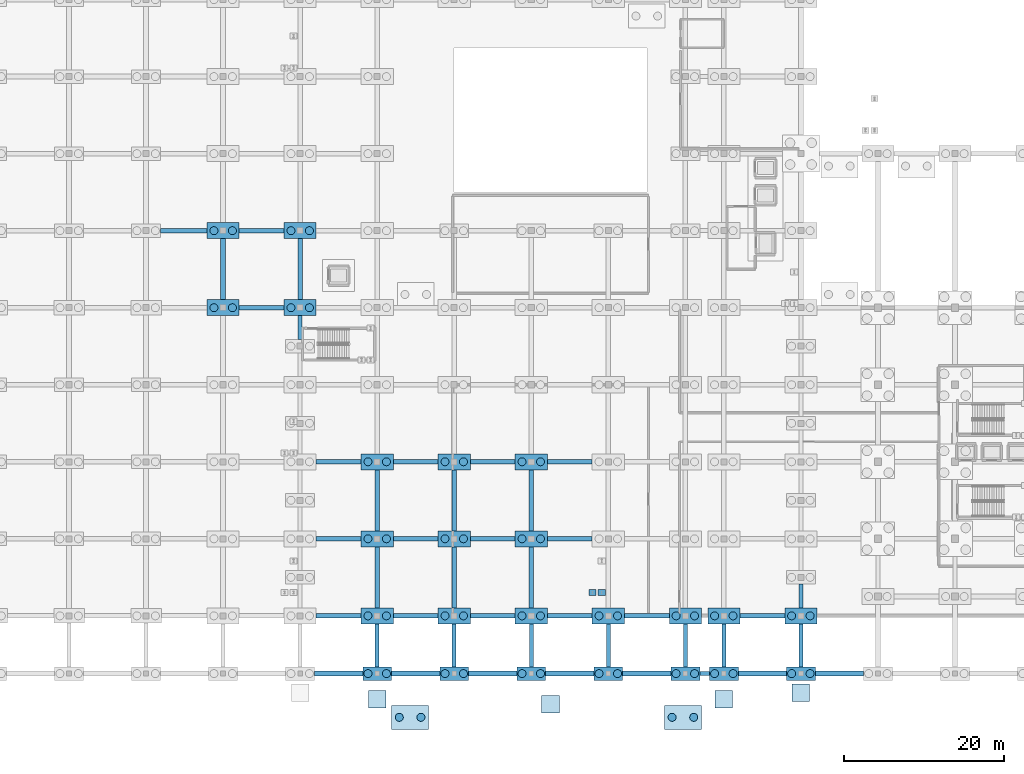
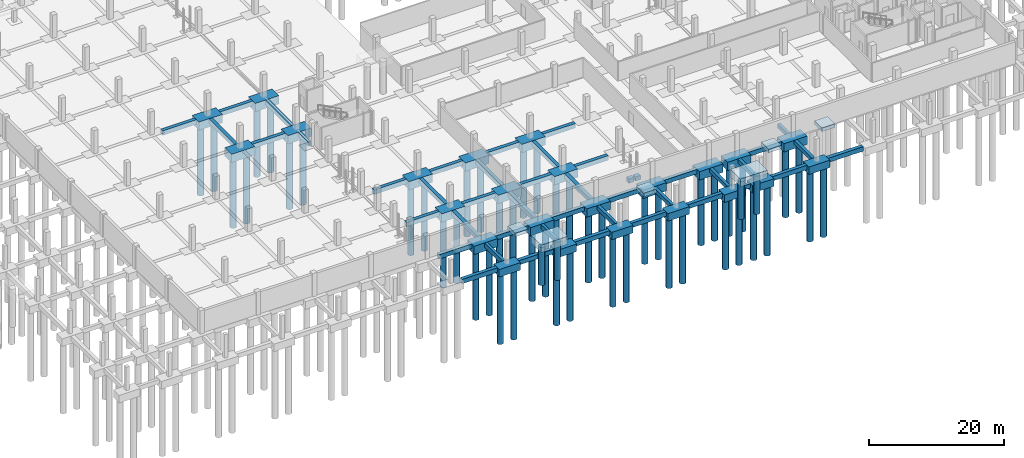
# One storey, part 3 of 54: 74 footings, 52 piles.
"""IFC4 building model written with IfcOpenShell, lengths in metres."""

import ifcopenshell
import ifcopenshell.guid

model = None  # the IFC model being written
_history = None  # IfcOwnerHistory: only IFC2X3 demands one
_inside = {}  # id of a spatial element -> (the spatial element, [elements in it])
_under = {}  # id of a project, library or spatial element -> (it, [spatial elements below it])
_declared = {}  # id of a project -> (the project, [libraries it declares])
_typed = {}  # id of a type object -> (the type object, [elements of that type])
_made_of = {}  # id of a material, layer set ... -> (it, [elements and type objects made of it])


def new_model(schema):
    """Start an empty IFC model of exactly this schema.

    Asked for "IFC4X3", IfcOpenShell would pick the latest addendum, in which some entities
    have other attributes; the version numbers below select the first issue.
    IFC2X3 requires an IfcOwnerHistory on every rooted entity: one is made here for all.
    """
    global model, _history
    if schema == "IFC4X3":
        model = ifcopenshell.file(schema_version=(4, 3, 0, 0))
    else:
        model = ifcopenshell.file(schema=schema)
    _inside.clear()
    _under.clear()
    _declared.clear()
    _typed.clear()
    _made_of.clear()
    _history = None
    if model.schema == "IFC2X3":
        org = make("IfcOrganization", Name="unknown")
        user = make(
            "IfcPersonAndOrganization",
            ThePerson=make("IfcPerson", FamilyName="unknown"),
            TheOrganization=org,
        )
        app = make(
            "IfcApplication",
            ApplicationDeveloper=org,
            Version="unknown",
            ApplicationFullName="unknown",
            ApplicationIdentifier="unknown",
        )
        _history = make(
            "IfcOwnerHistory",
            OwningUser=user,
            OwningApplication=app,
            ChangeAction="ADDED",
            CreationDate=0,
        )
    return model


def make(cls, **values):
    """One entity of the class cls with the attributes given. An attribute that is None is left unset."""
    return model.create_entity(
        cls, **{name: value for name, value in values.items() if value is not None}
    )


def rooted(cls, **values):
    """An entity with a GlobalId (a new one), such as an element, a storey or a relation."""
    return make(cls, GlobalId=ifcopenshell.guid.new(), OwnerHistory=_history, **values)


def si_unit(unit_type, name, prefix=None):
    """IfcSIUnit, for example si_unit("LENGTHUNIT", "METRE", prefix="MILLI")."""
    return make("IfcSIUnit", UnitType=unit_type, Prefix=prefix, Name=name)


def assignment(units):
    """IfcUnitAssignment: the units of a project."""
    return None if units is None else make("IfcUnitAssignment", Units=units)


def point(xyz):
    """IfcCartesianPoint."""
    return None if xyz is None else make("IfcCartesianPoint", Coordinates=xyz)


def direction(xyz):
    """IfcDirection."""
    return None if xyz is None else make("IfcDirection", DirectionRatios=xyz)


def frame(location, z_axis=None, x_axis=None):
    """IfcAxis2Placement3D, a coordinate frame: its origin and axes. An axis left out is left unset."""
    return make(
        "IfcAxis2Placement3D",
        Location=point(location),
        Axis=direction(z_axis),
        RefDirection=direction(x_axis),
    )


def frame_2d(location, x_axis=None):
    """IfcAxis2Placement2D, a coordinate frame in the plane: its origin and x axis."""
    return make(
        "IfcAxis2Placement2D", Location=point(location), RefDirection=direction(x_axis)
    )


def origin():
    """The frame at (0, 0, 0) with its axes left unset."""
    return frame((0.0, 0.0, 0.0))


def origin_2d():
    """The frame at (0, 0) in the plane with its x axis left unset."""
    return frame_2d((0.0, 0.0))


def place(relative_to, where):
    """IfcLocalPlacement: puts the frame where relative to a parent placement (None: the world)."""
    return make(
        "IfcLocalPlacement", PlacementRelTo=relative_to, RelativePlacement=where
    )


def context(
    kind, dimensions, precision=None, world=None, true_north=None, identifier=None
):
    """IfcGeometricRepresentationContext, for example the 3D "Model" context."""
    return make(
        "IfcGeometricRepresentationContext",
        ContextIdentifier=identifier,
        ContextType=kind,
        CoordinateSpaceDimension=dimensions,
        Precision=precision,
        WorldCoordinateSystem=world,
        TrueNorth=true_north,
    )


def subcontext(parent, identifier, kind, view, scale=None):
    """IfcGeometricRepresentationSubContext, for example "Body" below "Model"."""
    return make(
        "IfcGeometricRepresentationSubContext",
        ContextIdentifier=identifier,
        ContextType=kind,
        ParentContext=parent,
        TargetScale=scale,
        TargetView=view,
    )


def project(units=None, contexts=None):
    """IfcProject with its units and contexts."""
    return rooted(
        "IfcProject",
        Name="project",
        RepresentationContexts=contexts,
        UnitsInContext=assignment(units),
    )


def spatial(cls, under=None, at=None, **own):
    """A site, building, storey or space (cls), placed at a placement, below another one or the project."""
    s = rooted(cls, ObjectPlacement=at, **own)
    if under is not None:
        _under.setdefault(under.id(), (under, []))[1].append(s)
    return s


def profile(cls, at=None, kind="AREA", **sizes):
    """A parametric profile (cls). Its sizes go by their IFC names, for example OverallWidth=200.0."""
    return make(cls, ProfileType=kind, Position=at, **sizes)


def rectangle(**sizes):
    """IfcRectangleProfileDef."""
    return profile("IfcRectangleProfileDef", **sizes)


def circle(**sizes):
    """IfcCircleProfileDef."""
    return profile("IfcCircleProfileDef", **sizes)


def extrude(swept, where, along, depth):
    """IfcExtrudedAreaSolid: the profile swept, set in the frame where, extruded along a direction by depth."""
    return make(
        "IfcExtrudedAreaSolid",
        SweptArea=swept,
        Position=where,
        ExtrudedDirection=direction(along),
        Depth=depth,
    )


def shape(context_of_items, identifier, shape_type, items):
    """IfcShapeRepresentation: the items that make up one representation, for example the "Body"."""
    return make(
        "IfcShapeRepresentation",
        ContextOfItems=context_of_items,
        RepresentationIdentifier=identifier,
        RepresentationType=shape_type,
        Items=items,
    )


def material(Name=None, Category=None):
    """IfcMaterial."""
    return make("IfcMaterial", Name=Name, Category=Category)


def material_profile(
    of_material, cross_section, Name=None, Category=None, Priority=None
):
    """IfcMaterialProfile: a cross section and its material."""
    return make(
        "IfcMaterialProfile",
        Name=Name,
        Material=of_material,
        Profile=cross_section,
        Priority=Priority,
        Category=Category,
    )


def profile_set(profiles, Name=None, composite=None):
    """IfcMaterialProfileSet."""
    return make(
        "IfcMaterialProfileSet",
        Name=Name,
        MaterialProfiles=profiles,
        CompositeProfile=composite,
    )


def made_of(thing, what):
    """Note that an element or type object is made of a material, layer set ...; save() writes the relation."""
    if what is not None:
        _made_of.setdefault(what.id(), (what, []))[1].append(thing)
    return thing


def type_object(cls, material=None, **own):
    """A type object (cls), such as IfcWallType, which elements share."""
    return made_of(rooted(cls, **own), material)


def element(
    cls,
    number,
    at=None,
    inside=None,
    cuts=None,
    type_object=None,
    material=None,
    context=None,
    identifier="Body",
    shape_type=None,
    held_by="IfcProductDefinitionShape",
    body=None,
    shapes=None,
    **own,
):
    """One element of the class cls, such as IfcWall. Its Tag is "e" and its number.

    at: its placement. inside: the storey or other place that contains it. cuts: it is an
    opening in that element (IfcRelVoidsElement). A single representation is given by context,
    identifier, shape_type and body (its items); several are given by shapes. held_by: the class
    of the entity that holds the representations. save() writes the other relations.
    """
    e = rooted(cls, Tag="e%d" % number, ObjectPlacement=at, **own)
    if body is not None:
        shapes = [shape(context, identifier, shape_type, body)]
    if shapes is not None:
        e.Representation = make(held_by, Representations=shapes)
    if inside is not None:
        _inside.setdefault(inside.id(), (inside, []))[1].append(e)
    if cuts is not None:
        rooted(
            "IfcRelVoidsElement", RelatingBuildingElement=cuts, RelatedOpeningElement=e
        )
    if type_object is not None:
        _typed.setdefault(type_object.id(), (type_object, []))[1].append(e)
    return made_of(e, material)


def aggregate(whole, parts):
    """IfcRelAggregates: a whole, such as a stair, and the parts it consists of."""
    return rooted("IfcRelAggregates", RelatingObject=whole, RelatedObjects=parts)


def save(model, path):
    """Write the relations noted so far, then the file.

    IfcRelAggregates (storeys below a building ...), IfcRelContainedInSpatialStructure (elements
    in a storey), IfcRelDefinesByType, IfcRelAssociatesMaterial and IfcRelDeclares: one each for
    every whole, place, type object, material and project.
    """
    for whole, parts in _under.values():
        aggregate(whole, parts)
    for where, things in _inside.values():
        rooted(
            "IfcRelContainedInSpatialStructure",
            RelatedElements=things,
            RelatingStructure=where,
        )
    for kind, things in _typed.values():
        rooted("IfcRelDefinesByType", RelatedObjects=things, RelatingType=kind)
    for what, things in _made_of.values():
        rooted("IfcRelAssociatesMaterial", RelatedObjects=things, RelatingMaterial=what)
    for by, libraries in _declared.values():
        rooted("IfcRelDeclares", RelatingContext=by, RelatedDefinitions=libraries)
    model.write(path)


model = new_model("IFC4")

# Units and contexts
model_context = context("Model", 3, precision=1e-05, world=origin(), true_north=direction((0.0, 1.0)))
body_context = subcontext(model_context, "Body", "Model", "MODEL_VIEW")
ifc_project = project(units=[si_unit("LENGTHUNIT", "METRE"), si_unit("AREAUNIT", "SQUARE_METRE"), si_unit("VOLUMEUNIT", "CUBIC_METRE"), si_unit("PLANEANGLEUNIT", "RADIAN"), si_unit("MASSUNIT", "GRAM", prefix="KILO")], contexts=[model_context])

# Site, building, storey
site_placement = place(None, origin())
site = spatial("IfcSite", under=ifc_project, at=site_placement, CompositionType="ELEMENT")
building_placement = place(site_placement, origin())
building = spatial("IfcBuilding", under=site, at=building_placement, Name="Zevrakil Square Congress Hotel", CompositionType="ELEMENT")
storey_placement = place(building_placement, frame((0.0, 0.0, -8.39990234375)))
storey = spatial("IfcBuildingStorey", under=building, at=storey_placement, Name="B2", CompositionType="ELEMENT", Elevation=-8.39990234375)

# Footings
ifc_material_1 = material(Name="Concrete C35/45", Category="concrete")
footing_type_1 = type_object("IfcFootingType", Name="FTG-PAD-2200", PredefinedType="PAD_FOOTING", material=ifc_material_1)
for number, where, z_axis, x_axis, name in (
    (1, (64.800048828125, -3.199951171875, 7.75), (0.0, 0.0, 1.0), (1.0, 0.0, 0.0), "South entrance canopy pad footing CPC-02"),
    (2, (86.39990234375, -3.800048828125, 7.75), (0.0, 0.0, 1.0), (1.0, 0.0, 0.0), "South entrance canopy pad footing CPC-03"),
    (3, (108.0, -3.199951171875, 7.75), (0.0, 0.0, 1.0), (1.0, 0.0, 0.0), "South entrance canopy pad footing CPC-04"),
    (4, (117.60009765625, -2.39990234375, 7.75), (0.0, 0.0, 1.0), (1.0, 0.0, 0.0), "South entrance canopy pad footing CPC-05"),
):
    element("IfcFooting", number, at=place(storey_placement, frame(where, z_axis=z_axis, x_axis=x_axis)), inside=storey, type_object=footing_type_1, Name=name, PredefinedType="PAD_FOOTING", context=body_context, shape_type="SweptSolid", body=[
        extrude(rectangle(XDim=2.199951171875, YDim=2.199951171875, at=origin_2d()), origin(), (0.0, 0.0, 1.0), 0.64990234375),
    ])
ifc_material_2 = material(Name="Concrete C35/45", Category="concrete")
footing_type_2 = type_object("IfcFootingType", Name="FTG-PC2-360", PredefinedType="PILE_CAP", material=ifc_material_2)
for number, where, z_axis, x_axis, name in (
    (5, (64.800048828125, 0.0, -1.35009765625), (0.0, 0.0, 1.0), (1.0, 0.0, 0.0), "Pile cap PC2-098"),
    (6, (74.39990234375, 0.0, -1.35009765625), (0.0, 0.0, 1.0), (1.0, 0.0, 0.0), "Pile cap PC2-112"),
    (7, (84.0, 0.0, -1.35009765625), (0.0, 0.0, 1.0), (1.0, 0.0, 0.0), "Pile cap PC2-126"),
    (8, (93.60009765625, 0.0, -1.35009765625), (0.0, 0.0, 1.0), (1.0, 0.0, 0.0), "Pile cap PC2-140"),
    (9, (103.199951171875, 0.0, -1.35009765625), (0.0, 0.0, 1.0), (1.0, 0.0, 0.0), "Pile cap PC2-154"),
    (10, (108.0, 0.0, -1.35009765625), (0.0, 0.0, 1.0), (1.0, 0.0, 0.0), "Pile cap PC2-168"),
    (11, (117.60009765625, 0.0, -1.35009765625), (0.0, 0.0, 1.0), (1.0, 0.0, 0.0), "Pile cap PC2-182"),
):
    element("IfcFooting", number, at=place(storey_placement, frame(where, z_axis=z_axis, x_axis=x_axis)), inside=storey, type_object=footing_type_2, Name=name, PredefinedType="PILE_CAP", context=body_context, shape_type="SweptSolid", body=[
        extrude(rectangle(XDim=3.60009765625, YDim=1.699951171875, at=origin_2d()), origin(), (0.0, 0.0, 1.0), 1.35009765625),
    ])
ifc_material_3 = material(Name="Concrete C35/45", Category="concrete")
footing_type_3 = type_object("IfcFootingType", Name="FTG-PC2-400", PredefinedType="PILE_CAP", material=ifc_material_3)
for number, where, z_axis, x_axis, name in (
    (12, (45.60009765625, 45.60009765625, -1.5), (0.0, 0.0, 1.0), (1.0, 0.0, 0.0), "Pile cap PC2-075"),
    (13, (45.60009765625, 55.199951171875, -1.5), (0.0, 0.0, 1.0), (1.0, 0.0, 0.0), "Pile cap PC2-076"),
    (14, (55.199951171875, 45.60009765625, -1.5), (0.0, 0.0, 1.0), (1.0, 0.0, 0.0), "Pile cap PC2-089"),
    (15, (55.199951171875, 55.199951171875, -1.5), (0.0, 0.0, 1.0), (1.0, 0.0, 0.0), "Pile cap PC2-090"),
    (16, (64.800048828125, 7.199951171875, -1.5), (0.0, 0.0, 1.0), (1.0, 0.0, 0.0), "Pile cap PC2-099"),
    (17, (64.800048828125, 16.800048828125, -1.5), (0.0, 0.0, 1.0), (1.0, 0.0, 0.0), "Pile cap PC2-100"),
    (18, (64.800048828125, 26.39990234375, -1.5), (0.0, 0.0, 1.0), (1.0, 0.0, 0.0), "Pile cap PC2-101"),
    (19, (74.39990234375, 7.199951171875, -1.5), (0.0, 0.0, 1.0), (1.0, 0.0, 0.0), "Pile cap PC2-113"),
    (20, (74.39990234375, 16.800048828125, -1.5), (0.0, 0.0, 1.0), (1.0, 0.0, 0.0), "Pile cap PC2-114"),
    (21, (74.39990234375, 26.39990234375, -1.5), (0.0, 0.0, 1.0), (1.0, 0.0, 0.0), "Pile cap PC2-115"),
    (22, (84.0, 7.199951171875, -1.5), (0.0, 0.0, 1.0), (1.0, 0.0, 0.0), "Pile cap PC2-127"),
    (23, (84.0, 16.800048828125, -1.5), (0.0, 0.0, 1.0), (1.0, 0.0, 0.0), "Pile cap PC2-128"),
    (24, (84.0, 26.39990234375, -1.5), (0.0, 0.0, 1.0), (1.0, 0.0, 0.0), "Pile cap PC2-129"),
    (25, (93.60009765625, 7.199951171875, -1.5), (0.0, 0.0, 1.0), (1.0, 0.0, 0.0), "Pile cap PC2-141"),
    (26, (103.199951171875, 7.199951171875, -1.5), (0.0, 0.0, 1.0), (1.0, 0.0, 0.0), "Pile cap PC2-155"),
    (27, (108.0, 7.199951171875, -1.5), (0.0, 0.0, 1.0), (1.0, 0.0, 0.0), "Pile cap PC2-169"),
    (28, (117.60009765625, 7.199951171875, -1.5), (0.0, 0.0, 1.0), (1.0, 0.0, 0.0), "Pile cap PC2-183"),
):
    element("IfcFooting", number, at=place(storey_placement, frame(where, z_axis=z_axis, x_axis=x_axis)), inside=storey, type_object=footing_type_3, Name=name, PredefinedType="PILE_CAP", context=body_context, shape_type="SweptSolid", body=[
        extrude(rectangle(XDim=4.0, YDim=2.0, at=origin_2d()), origin(), (0.0, 0.0, 1.0), 1.5),
    ])
ifc_material_4 = material(Name="Concrete C35/45", Category="concrete")
footing_type_4 = type_object("IfcFootingType", Name="FTG-PC2-460x300", PredefinedType="PILE_CAP", material=ifc_material_4)
for number, where, z_axis, x_axis, name in (
    (29, (68.89990234375, -5.449951171875, 5.449951171875), (0.0, 0.0, 1.0), (1.0, 0.0, 0.0), "Accessible ramp apron two-pile cap PR-01"),
    (30, (102.89990234375, -5.449951171875, 5.449951171875), (0.0, 0.0, 1.0), (1.0, 0.0, 0.0), "Accessible ramp apron two-pile cap PR-02"),
):
    element("IfcFooting", number, at=place(storey_placement, frame(where, z_axis=z_axis, x_axis=x_axis)), inside=storey, type_object=footing_type_4, Name=name, PredefinedType="PILE_CAP", context=body_context, shape_type="SweptSolid", body=[
        extrude(rectangle(XDim=4.60009765625, YDim=3.0, at=origin_2d()), origin(), (0.0, 0.0, 1.0), 1.39990234375),
    ])
ifc_material_5 = material(Name="Concrete C35/45", Category="concrete")
ifc_material_profile_1 = material_profile(ifc_material_5, rectangle(XDim=0.75, YDim=0.75, at=origin_2d()), Name="RC 750x750")
ifc_profile_set_1 = profile_set([ifc_material_profile_1], Name="Concrete C35/45")
footing_type_5 = type_object("IfcFootingType", Name="FTG-STRIP-750", PredefinedType="STRIP_FOOTING", material=ifc_profile_set_1)
footing_1_placement = place(storey_placement, frame((91.199951171875, 10.10009765625, -0.375), z_axis=(1.0, 0.0, 0.0), x_axis=(0.0, 1.0, 0.0)))
element("IfcFooting", 31, at=footing_1_placement, inside=storey, type_object=footing_type_5, Name="B2 stair post footing ST15-1", PredefinedType="STRIP_FOOTING", context=body_context, shape_type="SweptSolid", body=[
    extrude(rectangle(XDim=0.75, YDim=0.75, at=origin_2d()), origin(), (0.0, 0.0, 1.0), 0.900146484375),
])
footing_2_placement = place(storey_placement, frame((92.330078125, 10.10009765625, -0.375), z_axis=(1.0, 0.0, 0.0), x_axis=(0.0, 1.0, 0.0)))
element("IfcFooting", 32, at=footing_2_placement, inside=storey, type_object=footing_type_5, Name="B2 stair post footing ST15-2", PredefinedType="STRIP_FOOTING", context=body_context, shape_type="SweptSolid", body=[
    extrude(rectangle(XDim=0.75, YDim=0.75, at=origin_2d()), origin(), (0.0, 0.0, 1.0), 0.89990234375),
])
ifc_material_6 = material(Name="Concrete C35/45", Category="concrete")
ifc_material_profile_2 = material_profile(ifc_material_6, rectangle(XDim=0.5, YDim=0.75, at=origin_2d()), Name="RC 500x750")
ifc_profile_set_2 = profile_set([ifc_material_profile_2], Name="Concrete C35/45")
footing_type_6 = type_object("IfcFootingType", Name="FTG-TIE-500x750", PredefinedType="FOOTING_BEAM", material=ifc_profile_set_2)
footing_3_placement = place(storey_placement, frame((105.0, 0.0, -0.375), z_axis=(1.0, 0.0, 0.0), x_axis=(0.0, 1.0, 0.0)))
element("IfcFooting", 33, at=footing_3_placement, inside=storey, type_object=footing_type_6, Name="Ground tie beam GB-012", PredefinedType="FOOTING_BEAM", context=body_context, shape_type="SweptSolid", body=[
    extrude(rectangle(XDim=0.5, YDim=0.75, at=origin_2d()), origin(), (0.0, 0.0, 1.0), 1.199951171875),
])
footing_4_placement = place(storey_placement, frame((55.199951171875, 41.64990234375, -0.375), z_axis=(0.0, 1.0, 0.0), x_axis=(-1.0, 0.0, 0.0)))
element("IfcFooting", 34, at=footing_4_placement, inside=storey, type_object=footing_type_6, Name="Ground tie beam GB-296", PredefinedType="FOOTING_BEAM", context=body_context, shape_type="SweptSolid", body=[
    extrude(rectangle(XDim=0.5, YDim=0.75, at=origin_2d()), origin(), (0.0, 0.0, 1.0), 2.9501953125),
])
for number, where, z_axis, x_axis, name in (
    (35, (64.800048828125, 0.85009765625, -0.375), (0.0, 1.0, 0.0), (-1.0, 0.0, 0.0), "Ground tie beam GB-305"),
    (36, (74.39990234375, 0.85009765625, -0.375), (0.0, 1.0, 0.0), (-1.0, 0.0, 0.0), "Ground tie beam GB-318"),
    (37, (84.0, 0.85009765625, -0.375), (0.0, 1.0, 0.0), (-1.0, 0.0, 0.0), "Ground tie beam GB-328"),
    (38, (93.60009765625, 0.85009765625, -0.375), (0.0, 1.0, 0.0), (-1.0, 0.0, 0.0), "Ground tie beam GB-338"),
    (39, (103.199951171875, 0.85009765625, -0.375), (0.0, 1.0, 0.0), (-1.0, 0.0, 0.0), "Ground tie beam GB-348"),
    (40, (108.0, 0.85009765625, -0.375), (0.0, 1.0, 0.0), (-1.0, 0.0, 0.0), "Ground tie beam GB-361"),
    (41, (117.60009765625, 0.85009765625, -0.375), (0.0, 1.0, 0.0), (-1.0, 0.0, 0.0), "Ground tie beam GB-374"),
):
    element("IfcFooting", number, at=place(storey_placement, frame(where, z_axis=z_axis, x_axis=x_axis)), inside=storey, type_object=footing_type_6, Name=name, PredefinedType="FOOTING_BEAM", context=body_context, shape_type="SweptSolid", body=[
        extrude(rectangle(XDim=0.5, YDim=0.75, at=origin_2d()), origin(), (0.0, 0.0, 1.0), 5.349853515625),
    ])
footing_5_placement = place(storey_placement, frame((117.60009765625, 8.199951171875, -0.375), z_axis=(0.0, 1.0, 0.0), x_axis=(-1.0, 0.0, 0.0)))
element("IfcFooting", 42, at=footing_5_placement, inside=storey, type_object=footing_type_6, Name="Ground tie beam GB-375", PredefinedType="FOOTING_BEAM", context=body_context, shape_type="SweptSolid", body=[
    extrude(rectangle(XDim=0.5, YDim=0.75, at=origin_2d()), origin(), (0.0, 0.0, 1.0), 2.949951171875),
])
ifc_material_7 = material(Name="Concrete C35/45", Category="concrete")
ifc_material_profile_3 = material_profile(ifc_material_7, rectangle(XDim=0.60009765625, YDim=0.800048828125, at=origin_2d()), Name="RC 600x800")
ifc_profile_set_3 = profile_set([ifc_material_profile_3], Name="Concrete C35/45")
footing_type_7 = type_object("IfcFootingType", Name="FTG-TIE-600x800", PredefinedType="FOOTING_BEAM", material=ifc_profile_set_3)
for number, where, z_axis, x_axis, name in (
    (43, (57.0, 0.0, -0.400146484375), (1.0, 0.0, 0.0), (0.0, 1.0, 0.0), "Ground tie beam GB-007"),
    (44, (66.60009765625, 0.0, -0.400146484375), (1.0, 0.0, 0.0), (0.0, 1.0, 0.0), "Ground tie beam GB-008"),
    (45, (76.199951171875, 0.0, -0.400146484375), (1.0, 0.0, 0.0), (0.0, 1.0, 0.0), "Ground tie beam GB-009"),
    (46, (85.800048828125, 0.0, -0.400146484375), (1.0, 0.0, 0.0), (0.0, 1.0, 0.0), "Ground tie beam GB-010"),
    (47, (95.39990234375, 0.0, -0.400146484375), (1.0, 0.0, 0.0), (0.0, 1.0, 0.0), "Ground tie beam GB-011"),
    (48, (109.800048828125, 0.0, -0.400146484375), (1.0, 0.0, 0.0), (0.0, 1.0, 0.0), "Ground tie beam GB-013"),
    (49, (119.39990234375, 0.0, -0.400146484375), (1.0, 0.0, 0.0), (0.0, 1.0, 0.0), "Ground tie beam GB-014"),
):
    element("IfcFooting", number, at=place(storey_placement, frame(where, z_axis=z_axis, x_axis=x_axis)), inside=storey, type_object=footing_type_7, Name=name, PredefinedType="FOOTING_BEAM", context=body_context, shape_type="SweptSolid", body=[
        extrude(rectangle(XDim=0.60009765625, YDim=0.800048828125, at=origin_2d()), origin(), (0.0, 0.0, 1.0), 6.0),
    ])
footing_6_placement = place(storey_placement, frame((57.199951171875, 7.199951171875, -0.400146484375), z_axis=(1.0, 0.0, 0.0), x_axis=(0.0, 1.0, 0.0)))
element("IfcFooting", 50, at=footing_6_placement, inside=storey, type_object=footing_type_7, Name="Ground tie beam GB-026", PredefinedType="FOOTING_BEAM", context=body_context, shape_type="SweptSolid", body=[
    extrude(rectangle(XDim=0.60009765625, YDim=0.800048828125, at=origin_2d()), origin(), (0.0, 0.0, 1.0), 5.60009765625),
])
footing_7_placement = place(storey_placement, frame((66.800048828125, 7.199951171875, -0.400146484375), z_axis=(1.0, 0.0, 0.0), x_axis=(0.0, 1.0, 0.0)))
element("IfcFooting", 51, at=footing_7_placement, inside=storey, type_object=footing_type_7, Name="Ground tie beam GB-027", PredefinedType="FOOTING_BEAM", context=body_context, shape_type="SweptSolid", body=[
    extrude(rectangle(XDim=0.60009765625, YDim=0.800048828125, at=origin_2d()), origin(), (0.0, 0.0, 1.0), 5.599853515625),
])
for number, where, z_axis, x_axis, name in (
    (52, (76.39990234375, 7.199951171875, -0.400146484375), (1.0, 0.0, 0.0), (0.0, 1.0, 0.0), "Ground tie beam GB-028"),
    (53, (86.0, 7.199951171875, -0.400146484375), (1.0, 0.0, 0.0), (0.0, 1.0, 0.0), "Ground tie beam GB-029"),
):
    element("IfcFooting", number, at=place(storey_placement, frame(where, z_axis=z_axis, x_axis=x_axis)), inside=storey, type_object=footing_type_7, Name=name, PredefinedType="FOOTING_BEAM", context=body_context, shape_type="SweptSolid", body=[
        extrude(rectangle(XDim=0.60009765625, YDim=0.800048828125, at=origin_2d()), origin(), (0.0, 0.0, 1.0), 5.60009765625),
    ])
footing_8_placement = place(storey_placement, frame((95.60009765625, 7.199951171875, -0.400146484375), z_axis=(1.0, 0.0, 0.0), x_axis=(0.0, 1.0, 0.0)))
element("IfcFooting", 54, at=footing_8_placement, inside=storey, type_object=footing_type_7, Name="Ground tie beam GB-030", PredefinedType="FOOTING_BEAM", context=body_context, shape_type="SweptSolid", body=[
    extrude(rectangle(XDim=0.60009765625, YDim=0.800048828125, at=origin_2d()), origin(), (0.0, 0.0, 1.0), 5.599853515625),
])
for number, where, z_axis, x_axis, name in (
    (55, (110.0, 7.199951171875, -0.400146484375), (1.0, 0.0, 0.0), (0.0, 1.0, 0.0), "Ground tie beam GB-031"),
    (56, (57.199951171875, 16.800048828125, -0.400146484375), (1.0, 0.0, 0.0), (0.0, 1.0, 0.0), "Ground tie beam GB-042"),
):
    element("IfcFooting", number, at=place(storey_placement, frame(where, z_axis=z_axis, x_axis=x_axis)), inside=storey, type_object=footing_type_7, Name=name, PredefinedType="FOOTING_BEAM", context=body_context, shape_type="SweptSolid", body=[
        extrude(rectangle(XDim=0.60009765625, YDim=0.800048828125, at=origin_2d()), origin(), (0.0, 0.0, 1.0), 5.60009765625),
    ])
footing_9_placement = place(storey_placement, frame((66.800048828125, 16.800048828125, -0.400146484375), z_axis=(1.0, 0.0, 0.0), x_axis=(0.0, 1.0, 0.0)))
element("IfcFooting", 57, at=footing_9_placement, inside=storey, type_object=footing_type_7, Name="Ground tie beam GB-043", PredefinedType="FOOTING_BEAM", context=body_context, shape_type="SweptSolid", body=[
    extrude(rectangle(XDim=0.60009765625, YDim=0.800048828125, at=origin_2d()), origin(), (0.0, 0.0, 1.0), 5.599853515625),
])
for number, where, z_axis, x_axis, name in (
    (58, (76.39990234375, 16.800048828125, -0.400146484375), (1.0, 0.0, 0.0), (0.0, 1.0, 0.0), "Ground tie beam GB-044"),
    (59, (86.0, 16.800048828125, -0.400146484375), (1.0, 0.0, 0.0), (0.0, 1.0, 0.0), "Ground tie beam GB-045"),
    (60, (57.199951171875, 26.39990234375, -0.400146484375), (1.0, 0.0, 0.0), (0.0, 1.0, 0.0), "Ground tie beam GB-060"),
):
    element("IfcFooting", number, at=place(storey_placement, frame(where, z_axis=z_axis, x_axis=x_axis)), inside=storey, type_object=footing_type_7, Name=name, PredefinedType="FOOTING_BEAM", context=body_context, shape_type="SweptSolid", body=[
        extrude(rectangle(XDim=0.60009765625, YDim=0.800048828125, at=origin_2d()), origin(), (0.0, 0.0, 1.0), 5.60009765625),
    ])
footing_10_placement = place(storey_placement, frame((66.800048828125, 26.39990234375, -0.400146484375), z_axis=(1.0, 0.0, 0.0), x_axis=(0.0, 1.0, 0.0)))
element("IfcFooting", 61, at=footing_10_placement, inside=storey, type_object=footing_type_7, Name="Ground tie beam GB-061", PredefinedType="FOOTING_BEAM", context=body_context, shape_type="SweptSolid", body=[
    extrude(rectangle(XDim=0.60009765625, YDim=0.800048828125, at=origin_2d()), origin(), (0.0, 0.0, 1.0), 5.599853515625),
])
for number, where, z_axis, x_axis, name in (
    (62, (76.39990234375, 26.39990234375, -0.400146484375), (1.0, 0.0, 0.0), (0.0, 1.0, 0.0), "Ground tie beam GB-062"),
    (63, (86.0, 26.39990234375, -0.400146484375), (1.0, 0.0, 0.0), (0.0, 1.0, 0.0), "Ground tie beam GB-063"),
):
    element("IfcFooting", number, at=place(storey_placement, frame(where, z_axis=z_axis, x_axis=x_axis)), inside=storey, type_object=footing_type_7, Name=name, PredefinedType="FOOTING_BEAM", context=body_context, shape_type="SweptSolid", body=[
        extrude(rectangle(XDim=0.60009765625, YDim=0.800048828125, at=origin_2d()), origin(), (0.0, 0.0, 1.0), 5.60009765625),
    ])
footing_11_placement = place(storey_placement, frame((47.60009765625, 45.60009765625, -0.400146484375), z_axis=(1.0, 0.0, 0.0), x_axis=(0.0, 1.0, 0.0)))
element("IfcFooting", 64, at=footing_11_placement, inside=storey, type_object=footing_type_7, Name="Ground tie beam GB-093", PredefinedType="FOOTING_BEAM", context=body_context, shape_type="SweptSolid", body=[
    extrude(rectangle(XDim=0.60009765625, YDim=0.800048828125, at=origin_2d()), origin(), (0.0, 0.0, 1.0), 5.599853515625),
])
footing_12_placement = place(storey_placement, frame((37.800048828125, 55.199951171875, -0.400146484375), z_axis=(1.0, 0.0, 0.0), x_axis=(0.0, 1.0, 0.0)))
element("IfcFooting", 65, at=footing_12_placement, inside=storey, type_object=footing_type_7, Name="Ground tie beam GB-109", PredefinedType="FOOTING_BEAM", context=body_context, shape_type="SweptSolid", body=[
    extrude(rectangle(XDim=0.60009765625, YDim=0.800048828125, at=origin_2d()), origin(), (0.0, 0.0, 1.0), 5.800048828125),
])
footing_13_placement = place(storey_placement, frame((47.60009765625, 55.199951171875, -0.400146484375), z_axis=(1.0, 0.0, 0.0), x_axis=(0.0, 1.0, 0.0)))
element("IfcFooting", 66, at=footing_13_placement, inside=storey, type_object=footing_type_7, Name="Ground tie beam GB-110", PredefinedType="FOOTING_BEAM", context=body_context, shape_type="SweptSolid", body=[
    extrude(rectangle(XDim=0.60009765625, YDim=0.800048828125, at=origin_2d()), origin(), (0.0, 0.0, 1.0), 5.599853515625),
])
for number, where, z_axis, x_axis, name in (
    (67, (45.60009765625, 46.60009765625, -0.400146484375), (0.0, 1.0, 0.0), (-1.0, 0.0, 0.0), "Ground tie beam GB-280"),
    (68, (55.199951171875, 46.60009765625, -0.400146484375), (0.0, 1.0, 0.0), (-1.0, 0.0, 0.0), "Ground tie beam GB-297"),
):
    element("IfcFooting", number, at=place(storey_placement, frame(where, z_axis=z_axis, x_axis=x_axis)), inside=storey, type_object=footing_type_7, Name=name, PredefinedType="FOOTING_BEAM", context=body_context, shape_type="SweptSolid", body=[
        extrude(rectangle(XDim=0.60009765625, YDim=0.800048828125, at=origin_2d()), origin(), (0.0, 0.0, 1.0), 7.599853515625),
    ])
footing_14_placement = place(storey_placement, frame((64.800048828125, 8.199951171875, -0.400146484375), z_axis=(0.0, 1.0, 0.0), x_axis=(-1.0, 0.0, 0.0)))
element("IfcFooting", 69, at=footing_14_placement, inside=storey, type_object=footing_type_7, Name="Ground tie beam GB-306", PredefinedType="FOOTING_BEAM", context=body_context, shape_type="SweptSolid", body=[
    extrude(rectangle(XDim=0.60009765625, YDim=0.800048828125, at=origin_2d()), origin(), (0.0, 0.0, 1.0), 7.60009765625),
])
footing_15_placement = place(storey_placement, frame((64.800048828125, 17.800048828125, -0.400146484375), z_axis=(0.0, 1.0, 0.0), x_axis=(-1.0, 0.0, 0.0)))
element("IfcFooting", 70, at=footing_15_placement, inside=storey, type_object=footing_type_7, Name="Ground tie beam GB-307", PredefinedType="FOOTING_BEAM", context=body_context, shape_type="SweptSolid", body=[
    extrude(rectangle(XDim=0.60009765625, YDim=0.800048828125, at=origin_2d()), origin(), (0.0, 0.0, 1.0), 7.599853515625),
])
footing_16_placement = place(storey_placement, frame((74.39990234375, 8.199951171875, -0.400146484375), z_axis=(0.0, 1.0, 0.0), x_axis=(-1.0, 0.0, 0.0)))
element("IfcFooting", 71, at=footing_16_placement, inside=storey, type_object=footing_type_7, Name="Ground tie beam GB-319", PredefinedType="FOOTING_BEAM", context=body_context, shape_type="SweptSolid", body=[
    extrude(rectangle(XDim=0.60009765625, YDim=0.800048828125, at=origin_2d()), origin(), (0.0, 0.0, 1.0), 7.60009765625),
])
footing_17_placement = place(storey_placement, frame((74.39990234375, 17.800048828125, -0.400146484375), z_axis=(0.0, 1.0, 0.0), x_axis=(-1.0, 0.0, 0.0)))
element("IfcFooting", 72, at=footing_17_placement, inside=storey, type_object=footing_type_7, Name="Ground tie beam GB-320", PredefinedType="FOOTING_BEAM", context=body_context, shape_type="SweptSolid", body=[
    extrude(rectangle(XDim=0.60009765625, YDim=0.800048828125, at=origin_2d()), origin(), (0.0, 0.0, 1.0), 7.599853515625),
])
footing_18_placement = place(storey_placement, frame((84.0, 8.199951171875, -0.400146484375), z_axis=(0.0, 1.0, 0.0), x_axis=(-1.0, 0.0, 0.0)))
element("IfcFooting", 73, at=footing_18_placement, inside=storey, type_object=footing_type_7, Name="Ground tie beam GB-329", PredefinedType="FOOTING_BEAM", context=body_context, shape_type="SweptSolid", body=[
    extrude(rectangle(XDim=0.60009765625, YDim=0.800048828125, at=origin_2d()), origin(), (0.0, 0.0, 1.0), 7.60009765625),
])
footing_19_placement = place(storey_placement, frame((84.0, 17.800048828125, -0.400146484375), z_axis=(0.0, 1.0, 0.0), x_axis=(-1.0, 0.0, 0.0)))
element("IfcFooting", 74, at=footing_19_placement, inside=storey, type_object=footing_type_7, Name="Ground tie beam GB-330", PredefinedType="FOOTING_BEAM", context=body_context, shape_type="SweptSolid", body=[
    extrude(rectangle(XDim=0.60009765625, YDim=0.800048828125, at=origin_2d()), origin(), (0.0, 0.0, 1.0), 7.599853515625),
])

# Piles
ifc_material_8 = material(Name="Concrete C35/45", Category="concrete")
ifc_material_profile_4 = material_profile(ifc_material_8, circle(Radius=0.5, at=origin_2d()), Name="PILE D1000")
ifc_profile_set_4 = profile_set([ifc_material_profile_4], Name="Concrete C35/45")
pile_type = type_object("IfcPileType", Name="PILE-BORED-1000", PredefinedType="BORED", material=ifc_profile_set_4)
for number, where, z_axis, x_axis, name in (
    (75, (44.449951171875, 45.60009765625, -1.400146484375), (0.0, 0.0, -1.0), (1.0, 0.0, 0.0), "Bored pile PC2-075-1"),
    (76, (46.75, 45.60009765625, -1.400146484375), (0.0, 0.0, -1.0), (1.0, 0.0, 0.0), "Bored pile PC2-075-2"),
    (77, (44.449951171875, 55.199951171875, -1.400146484375), (0.0, 0.0, -1.0), (1.0, 0.0, 0.0), "Bored pile PC2-076-1"),
    (78, (46.75, 55.199951171875, -1.400146484375), (0.0, 0.0, -1.0), (1.0, 0.0, 0.0), "Bored pile PC2-076-2"),
    (79, (54.050048828125, 45.60009765625, -1.400146484375), (0.0, 0.0, -1.0), (1.0, 0.0, 0.0), "Bored pile PC2-089-1"),
    (80, (56.35009765625, 45.60009765625, -1.400146484375), (0.0, 0.0, -1.0), (1.0, 0.0, 0.0), "Bored pile PC2-089-2"),
    (81, (54.050048828125, 55.199951171875, -1.400146484375), (0.0, 0.0, -1.0), (1.0, 0.0, 0.0), "Bored pile PC2-090-1"),
    (82, (56.35009765625, 55.199951171875, -1.400146484375), (0.0, 0.0, -1.0), (1.0, 0.0, 0.0), "Bored pile PC2-090-2"),
):
    element("IfcPile", number, at=place(storey_placement, frame(where, z_axis=z_axis, x_axis=x_axis)), inside=storey, type_object=pile_type, Name=name, PredefinedType="BORED", context=body_context, shape_type="SweptSolid", body=[
        extrude(circle(Radius=0.5, at=origin_2d()), origin(), (0.0, 0.0, 1.0), 12.5),
    ])
for number, where, z_axis, x_axis, name in (
    (83, (63.64990234375, 0.0, -1.25), (0.0, 0.0, -1.0), (1.0, 0.0, 0.0), "Bored pile PC2-098-1"),
    (84, (65.949951171875, 0.0, -1.25), (0.0, 0.0, -1.0), (1.0, 0.0, 0.0), "Bored pile PC2-098-2"),
):
    element("IfcPile", number, at=place(storey_placement, frame(where, z_axis=z_axis, x_axis=x_axis)), inside=storey, type_object=pile_type, Name=name, PredefinedType="BORED", context=body_context, shape_type="SweptSolid", body=[
        extrude(circle(Radius=0.5, at=origin_2d()), origin(), (0.0, 0.0, 1.0), 12.64990234375),
    ])
for number, where, z_axis, x_axis, name in (
    (85, (63.64990234375, 7.199951171875, -1.400146484375), (0.0, 0.0, -1.0), (1.0, 0.0, 0.0), "Bored pile PC2-099-1"),
    (86, (65.949951171875, 7.199951171875, -1.400146484375), (0.0, 0.0, -1.0), (1.0, 0.0, 0.0), "Bored pile PC2-099-2"),
    (87, (63.64990234375, 16.800048828125, -1.400146484375), (0.0, 0.0, -1.0), (1.0, 0.0, 0.0), "Bored pile PC2-100-1"),
    (88, (65.949951171875, 16.800048828125, -1.400146484375), (0.0, 0.0, -1.0), (1.0, 0.0, 0.0), "Bored pile PC2-100-2"),
    (89, (63.64990234375, 26.39990234375, -1.400146484375), (0.0, 0.0, -1.0), (1.0, 0.0, 0.0), "Bored pile PC2-101-1"),
    (90, (65.949951171875, 26.39990234375, -1.400146484375), (0.0, 0.0, -1.0), (1.0, 0.0, 0.0), "Bored pile PC2-101-2"),
):
    element("IfcPile", number, at=place(storey_placement, frame(where, z_axis=z_axis, x_axis=x_axis)), inside=storey, type_object=pile_type, Name=name, PredefinedType="BORED", context=body_context, shape_type="SweptSolid", body=[
        extrude(circle(Radius=0.5, at=origin_2d()), origin(), (0.0, 0.0, 1.0), 12.5),
    ])
for number, where, z_axis, x_axis, name in (
    (91, (73.25, 0.0, -1.25), (0.0, 0.0, -1.0), (1.0, 0.0, 0.0), "Bored pile PC2-112-1"),
    (92, (75.550048828125, 0.0, -1.25), (0.0, 0.0, -1.0), (1.0, 0.0, 0.0), "Bored pile PC2-112-2"),
):
    element("IfcPile", number, at=place(storey_placement, frame(where, z_axis=z_axis, x_axis=x_axis)), inside=storey, type_object=pile_type, Name=name, PredefinedType="BORED", context=body_context, shape_type="SweptSolid", body=[
        extrude(circle(Radius=0.5, at=origin_2d()), origin(), (0.0, 0.0, 1.0), 12.64990234375),
    ])
for number, where, z_axis, x_axis, name in (
    (93, (73.25, 7.199951171875, -1.400146484375), (0.0, 0.0, -1.0), (1.0, 0.0, 0.0), "Bored pile PC2-113-1"),
    (94, (75.550048828125, 7.199951171875, -1.400146484375), (0.0, 0.0, -1.0), (1.0, 0.0, 0.0), "Bored pile PC2-113-2"),
    (95, (73.25, 16.800048828125, -1.400146484375), (0.0, 0.0, -1.0), (1.0, 0.0, 0.0), "Bored pile PC2-114-1"),
    (96, (75.550048828125, 16.800048828125, -1.400146484375), (0.0, 0.0, -1.0), (1.0, 0.0, 0.0), "Bored pile PC2-114-2"),
    (97, (73.25, 26.39990234375, -1.400146484375), (0.0, 0.0, -1.0), (1.0, 0.0, 0.0), "Bored pile PC2-115-1"),
    (98, (75.550048828125, 26.39990234375, -1.400146484375), (0.0, 0.0, -1.0), (1.0, 0.0, 0.0), "Bored pile PC2-115-2"),
):
    element("IfcPile", number, at=place(storey_placement, frame(where, z_axis=z_axis, x_axis=x_axis)), inside=storey, type_object=pile_type, Name=name, PredefinedType="BORED", context=body_context, shape_type="SweptSolid", body=[
        extrude(circle(Radius=0.5, at=origin_2d()), origin(), (0.0, 0.0, 1.0), 12.5),
    ])
for number, where, z_axis, x_axis, name in (
    (99, (82.85009765625, 0.0, -1.25), (0.0, 0.0, -1.0), (1.0, 0.0, 0.0), "Bored pile PC2-126-1"),
    (100, (85.14990234375, 0.0, -1.25), (0.0, 0.0, -1.0), (1.0, 0.0, 0.0), "Bored pile PC2-126-2"),
):
    element("IfcPile", number, at=place(storey_placement, frame(where, z_axis=z_axis, x_axis=x_axis)), inside=storey, type_object=pile_type, Name=name, PredefinedType="BORED", context=body_context, shape_type="SweptSolid", body=[
        extrude(circle(Radius=0.5, at=origin_2d()), origin(), (0.0, 0.0, 1.0), 12.64990234375),
    ])
for number, where, z_axis, x_axis, name in (
    (101, (82.85009765625, 7.199951171875, -1.400146484375), (0.0, 0.0, -1.0), (1.0, 0.0, 0.0), "Bored pile PC2-127-1"),
    (102, (85.14990234375, 7.199951171875, -1.400146484375), (0.0, 0.0, -1.0), (1.0, 0.0, 0.0), "Bored pile PC2-127-2"),
    (103, (82.85009765625, 16.800048828125, -1.400146484375), (0.0, 0.0, -1.0), (1.0, 0.0, 0.0), "Bored pile PC2-128-1"),
    (104, (85.14990234375, 16.800048828125, -1.400146484375), (0.0, 0.0, -1.0), (1.0, 0.0, 0.0), "Bored pile PC2-128-2"),
    (105, (82.85009765625, 26.39990234375, -1.400146484375), (0.0, 0.0, -1.0), (1.0, 0.0, 0.0), "Bored pile PC2-129-1"),
    (106, (85.14990234375, 26.39990234375, -1.400146484375), (0.0, 0.0, -1.0), (1.0, 0.0, 0.0), "Bored pile PC2-129-2"),
):
    element("IfcPile", number, at=place(storey_placement, frame(where, z_axis=z_axis, x_axis=x_axis)), inside=storey, type_object=pile_type, Name=name, PredefinedType="BORED", context=body_context, shape_type="SweptSolid", body=[
        extrude(circle(Radius=0.5, at=origin_2d()), origin(), (0.0, 0.0, 1.0), 12.5),
    ])
for number, where, z_axis, x_axis, name in (
    (107, (92.449951171875, 0.0, -1.25), (0.0, 0.0, -1.0), (1.0, 0.0, 0.0), "Bored pile PC2-140-1"),
    (108, (94.75, 0.0, -1.25), (0.0, 0.0, -1.0), (1.0, 0.0, 0.0), "Bored pile PC2-140-2"),
):
    element("IfcPile", number, at=place(storey_placement, frame(where, z_axis=z_axis, x_axis=x_axis)), inside=storey, type_object=pile_type, Name=name, PredefinedType="BORED", context=body_context, shape_type="SweptSolid", body=[
        extrude(circle(Radius=0.5, at=origin_2d()), origin(), (0.0, 0.0, 1.0), 12.64990234375),
    ])
for number, where, z_axis, x_axis, name in (
    (109, (92.449951171875, 7.199951171875, -1.400146484375), (0.0, 0.0, -1.0), (1.0, 0.0, 0.0), "Bored pile PC2-141-1"),
    (110, (94.75, 7.199951171875, -1.400146484375), (0.0, 0.0, -1.0), (1.0, 0.0, 0.0), "Bored pile PC2-141-2"),
):
    element("IfcPile", number, at=place(storey_placement, frame(where, z_axis=z_axis, x_axis=x_axis)), inside=storey, type_object=pile_type, Name=name, PredefinedType="BORED", context=body_context, shape_type="SweptSolid", body=[
        extrude(circle(Radius=0.5, at=origin_2d()), origin(), (0.0, 0.0, 1.0), 12.5),
    ])
for number, where, z_axis, x_axis, name in (
    (111, (102.050048828125, 0.0, -1.25), (0.0, 0.0, -1.0), (1.0, 0.0, 0.0), "Bored pile PC2-154-1"),
    (112, (104.35009765625, 0.0, -1.25), (0.0, 0.0, -1.0), (1.0, 0.0, 0.0), "Bored pile PC2-154-2"),
):
    element("IfcPile", number, at=place(storey_placement, frame(where, z_axis=z_axis, x_axis=x_axis)), inside=storey, type_object=pile_type, Name=name, PredefinedType="BORED", context=body_context, shape_type="SweptSolid", body=[
        extrude(circle(Radius=0.5, at=origin_2d()), origin(), (0.0, 0.0, 1.0), 12.64990234375),
    ])
for number, where, z_axis, x_axis, name in (
    (113, (102.050048828125, 7.199951171875, -1.400146484375), (0.0, 0.0, -1.0), (1.0, 0.0, 0.0), "Bored pile PC2-155-1"),
    (114, (104.35009765625, 7.199951171875, -1.400146484375), (0.0, 0.0, -1.0), (1.0, 0.0, 0.0), "Bored pile PC2-155-2"),
):
    element("IfcPile", number, at=place(storey_placement, frame(where, z_axis=z_axis, x_axis=x_axis)), inside=storey, type_object=pile_type, Name=name, PredefinedType="BORED", context=body_context, shape_type="SweptSolid", body=[
        extrude(circle(Radius=0.5, at=origin_2d()), origin(), (0.0, 0.0, 1.0), 12.5),
    ])
for number, where, z_axis, x_axis, name in (
    (115, (106.85009765625, 0.0, -1.25), (0.0, 0.0, -1.0), (1.0, 0.0, 0.0), "Bored pile PC2-168-1"),
    (116, (109.14990234375, 0.0, -1.25), (0.0, 0.0, -1.0), (1.0, 0.0, 0.0), "Bored pile PC2-168-2"),
):
    element("IfcPile", number, at=place(storey_placement, frame(where, z_axis=z_axis, x_axis=x_axis)), inside=storey, type_object=pile_type, Name=name, PredefinedType="BORED", context=body_context, shape_type="SweptSolid", body=[
        extrude(circle(Radius=0.5, at=origin_2d()), origin(), (0.0, 0.0, 1.0), 12.64990234375),
    ])
for number, where, z_axis, x_axis, name in (
    (117, (106.85009765625, 7.199951171875, -1.400146484375), (0.0, 0.0, -1.0), (1.0, 0.0, 0.0), "Bored pile PC2-169-1"),
    (118, (109.14990234375, 7.199951171875, -1.400146484375), (0.0, 0.0, -1.0), (1.0, 0.0, 0.0), "Bored pile PC2-169-2"),
):
    element("IfcPile", number, at=place(storey_placement, frame(where, z_axis=z_axis, x_axis=x_axis)), inside=storey, type_object=pile_type, Name=name, PredefinedType="BORED", context=body_context, shape_type="SweptSolid", body=[
        extrude(circle(Radius=0.5, at=origin_2d()), origin(), (0.0, 0.0, 1.0), 12.5),
    ])
for number, where, z_axis, x_axis, name in (
    (119, (116.449951171875, 0.0, -1.25), (0.0, 0.0, -1.0), (1.0, 0.0, 0.0), "Bored pile PC2-182-1"),
    (120, (118.75, 0.0, -1.25), (0.0, 0.0, -1.0), (1.0, 0.0, 0.0), "Bored pile PC2-182-2"),
):
    element("IfcPile", number, at=place(storey_placement, frame(where, z_axis=z_axis, x_axis=x_axis)), inside=storey, type_object=pile_type, Name=name, PredefinedType="BORED", context=body_context, shape_type="SweptSolid", body=[
        extrude(circle(Radius=0.5, at=origin_2d()), origin(), (0.0, 0.0, 1.0), 12.64990234375),
    ])
for number, where, z_axis, x_axis, name in (
    (121, (116.449951171875, 7.199951171875, -1.400146484375), (0.0, 0.0, -1.0), (1.0, 0.0, 0.0), "Bored pile PC2-183-1"),
    (122, (118.75, 7.199951171875, -1.400146484375), (0.0, 0.0, -1.0), (1.0, 0.0, 0.0), "Bored pile PC2-183-2"),
):
    element("IfcPile", number, at=place(storey_placement, frame(where, z_axis=z_axis, x_axis=x_axis)), inside=storey, type_object=pile_type, Name=name, PredefinedType="BORED", context=body_context, shape_type="SweptSolid", body=[
        extrude(circle(Radius=0.5, at=origin_2d()), origin(), (0.0, 0.0, 1.0), 12.5),
    ])
for number, where, z_axis, x_axis, name in (
    (123, (67.550048828125, -5.449951171875, 5.5498046875), (0.0, 0.0, -1.0), (1.0, 0.0, 0.0), "Accessible ramp apron bored pile PR-01-1"),
    (124, (70.25, -5.449951171875, 5.5498046875), (0.0, 0.0, -1.0), (1.0, 0.0, 0.0), "Accessible ramp apron bored pile PR-01-2"),
    (125, (101.550048828125, -5.449951171875, 5.5498046875), (0.0, 0.0, -1.0), (1.0, 0.0, 0.0), "Accessible ramp apron bored pile PR-02-1"),
    (126, (104.25, -5.449951171875, 5.5498046875), (0.0, 0.0, -1.0), (1.0, 0.0, 0.0), "Accessible ramp apron bored pile PR-02-2"),
):
    element("IfcPile", number, at=place(storey_placement, frame(where, z_axis=z_axis, x_axis=x_axis)), inside=storey, type_object=pile_type, Name=name, PredefinedType="BORED", context=body_context, shape_type="SweptSolid", body=[
        extrude(circle(Radius=0.5, at=origin_2d()), origin(), (0.0, 0.0, 1.0), 6.89990234375),
    ])

save(model, "model.ifc")
